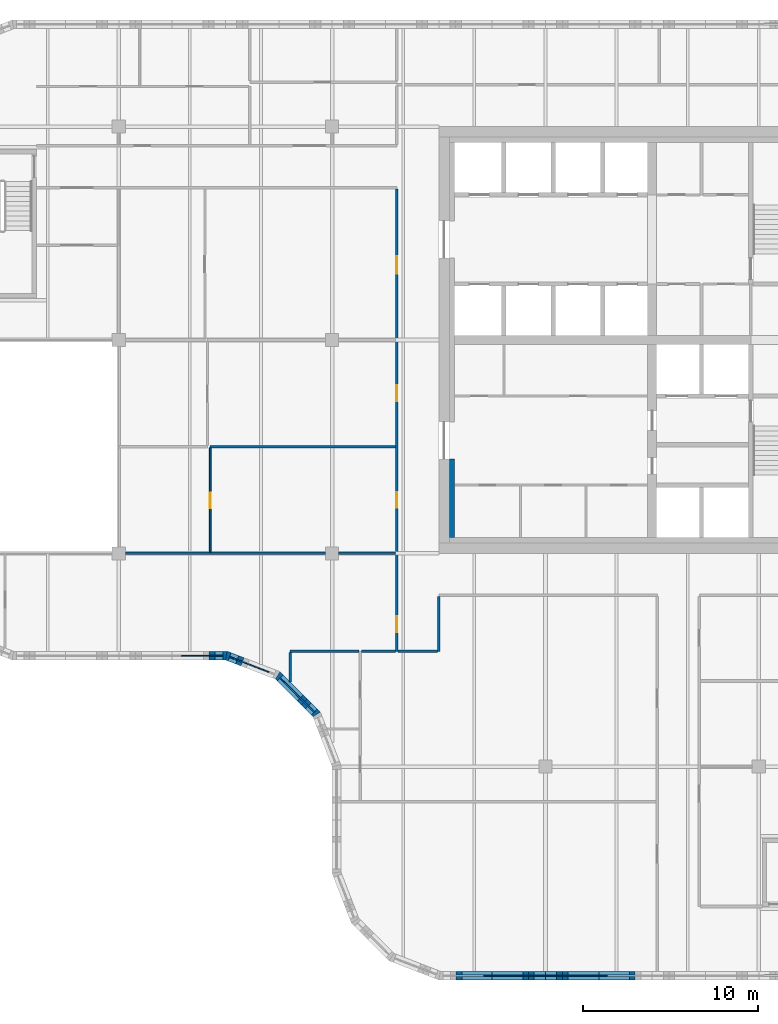
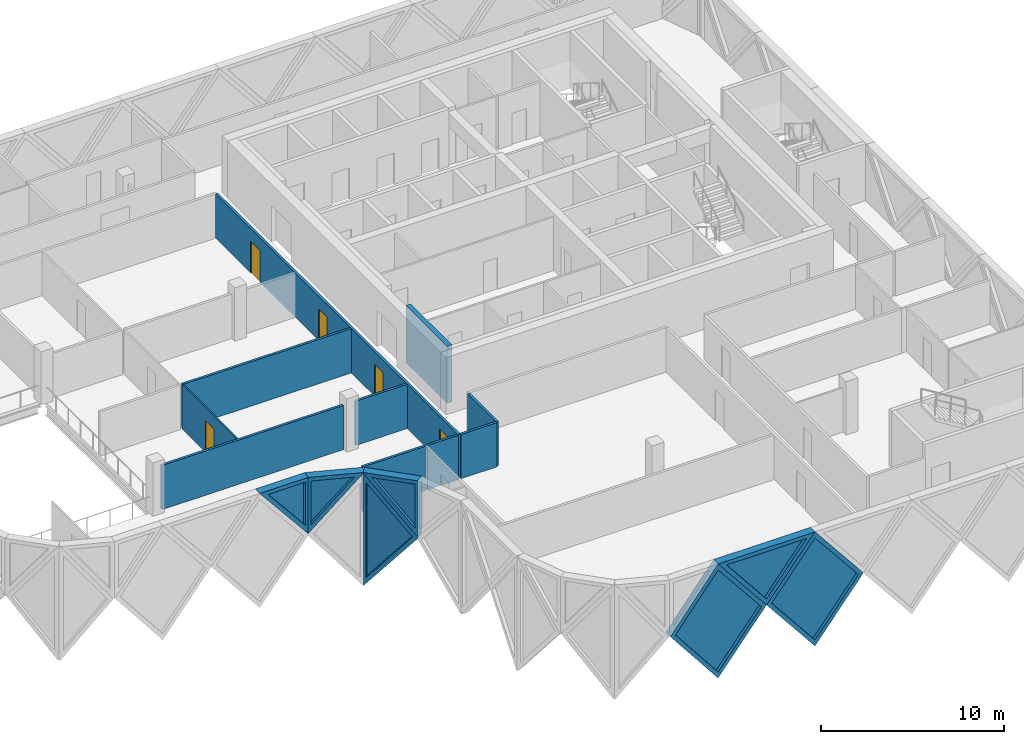
# One storey, part 5 of 15: 18 walls, 7 plates, 5 doors, 12 openings.
"""IFC4 building model written with IfcOpenShell, lengths in metres."""

from ifc_helpers import new_model, si_unit, direction, frame, frame_2d, origin, place, context, subcontext, project, spatial, polyline, rectangle, outline, extrude, faceted_brep, source, transform, mapped, material, layer, layer_set, type_object, element, fill, save


model = new_model("IFC4")

# Units and contexts
model_context = context("Model", 3, precision=1e-05, world=origin(), true_north=direction((0.0, 1.0)))
body_context = subcontext(model_context, "Body", "Model", "MODEL_VIEW")
ifc_project = project(units=[si_unit("LENGTHUNIT", "METRE"), si_unit("AREAUNIT", "SQUARE_METRE"), si_unit("VOLUMEUNIT", "CUBIC_METRE"), si_unit("PLANEANGLEUNIT", "RADIAN"), si_unit("MASSUNIT", "GRAM", prefix="KILO")], contexts=[model_context])

# Site, building, storey
site_placement = place(None, origin())
site = spatial("IfcSite", under=ifc_project, at=site_placement, CompositionType="ELEMENT")
building_placement = place(site_placement, origin())
building = spatial("IfcBuilding", under=site, at=building_placement, Name="Tessera Gate Towers", CompositionType="ELEMENT")
storey_placement = place(building_placement, frame((0.0, 0.0, 189.60009765625)))
storey = spatial("IfcBuildingStorey", under=building, at=storey_placement, Name="L47", CompositionType="ELEMENT", Elevation=189.60009765625)

# Wall
ifc_material_1 = material(Name="Concrete C50/60", Category="concrete")
ifc_layer_1 = layer(ifc_material_1, 0.300048828125)
ifc_layer_set_1 = layer_set([ifc_layer_1], Name="CORE WALL THICKENING 300")
wall_type_1 = type_object("IfcWallType", Name="CORE WALL THICKENING 300", PredefinedType="SOLIDWALL", material=ifc_layer_set_1)
wall_1_placement = place(storey_placement, frame((31.25, 25.300048828125, 0.0), z_axis=(0.0, 0.0, 1.0), x_axis=(0.0, 1.0, 0.0)))
element("IfcWall", 1, at=wall_1_placement, inside=storey, type_object=wall_type_1, Name="Core wall thickening W L47", PredefinedType="SOLIDWALL", context=body_context, shape_type="SweptSolid", body=[
    extrude(rectangle(XDim=4.5, YDim=0.300048828125, at=frame_2d((2.25, 0.0))), origin(), (0.0, 0.0, 1.0), 3.7998046875),
])

# Wall, openings, doors
ifc_material_2 = material(Name="Gypsum board on steel studs, mineral wool", Category="steel")
ifc_layer_2 = layer(ifc_material_2, 0.14990234375)
ifc_layer_set_2 = layer_set([ifc_layer_2], Name="CORRIDOR WALL 150")
wall_type_2 = type_object("IfcWallType", Name="CORRIDOR WALL 150", PredefinedType="PARTITIONING", material=ifc_layer_set_2)
wall_2_placement = place(storey_placement, frame((28.10009765625, 18.800048828125, 0.0), z_axis=(0.0, 0.0, 1.0), x_axis=(0.0, 1.0, 0.0)))
wall_2 = element("IfcWall", 2, at=wall_2_placement, inside=storey, type_object=wall_type_2, Name="T1-L47-PW-019", PredefinedType="PARTITIONING", context=body_context, shape_type="SweptSolid", body=[
    extrude(rectangle(XDim=26.424072265625, YDim=0.14990234375, at=frame_2d((13.2119140625, 0.0))), origin(), (0.0, 0.0, 1.0), 2.947021484375),
])
shared_shape_1 = source(origin(), body_context, "Body", "SweptSolid", [
    extrude(rectangle(XDim=0.89990234375, YDim=2.10009765625, at=frame_2d((0.449951171875, 1.050048828125))), frame((0.0, 0.0849609375, 0.0), z_axis=(0.0, -1.0, 0.0), x_axis=(1.0, 0.0, 0.0)), (0.0, 0.0, 1.0), 0.169921875),
])
opening_1_placement = place(wall_2_placement, frame((1.10009765625, 0.0, 0.0)))
opening_1 = element("IfcOpeningElement", 3, at=opening_1_placement, cuts=wall_2, Name="Opening D890FD60-A17-01", PredefinedType="OPENING", context=body_context, shape_type="MappedRepresentation", body=[
    mapped(shared_shape_1, transform((0.0, 0.0, 0.0), scale=1.0)),
])
opening_2_placement = place(wall_2_placement, frame((14.301025390625, 0.0, 0.0)))
opening_2 = element("IfcOpeningElement", 4, at=opening_2_placement, cuts=wall_2, Name="Opening D890FD60-A17-03", PredefinedType="OPENING", context=body_context, shape_type="MappedRepresentation", body=[
    mapped(shared_shape_1, transform((0.0, 0.0, 0.0), scale=1.0)),
])
opening_3_placement = place(wall_2_placement, frame((8.199951171875, 0.0, 0.0)))
opening_3 = element("IfcOpeningElement", 5, at=opening_3_placement, cuts=wall_2, Name="Opening D890FD60-A17-04", PredefinedType="OPENING", context=body_context, shape_type="MappedRepresentation", body=[
    mapped(shared_shape_1, transform((0.0, 0.0, 0.0), scale=1.0)),
])
shared_shape_2 = source(origin(), body_context, "Body", "SweptSolid", [
    extrude(rectangle(XDim=1.0, YDim=2.10009765625, at=frame_2d((0.5, 1.050048828125))), frame((0.0, 0.0849609375, 0.0), z_axis=(0.0, -1.0, 0.0), x_axis=(1.0, 0.0, 0.0)), (0.0, 0.0, 1.0), 0.169921875),
])
opening_4_placement = place(wall_2_placement, frame((21.60009765625, 0.0, 0.0)))
opening_4 = element("IfcOpeningElement", 6, at=opening_4_placement, cuts=wall_2, Name="Opening D2100FD60-A17-02", PredefinedType="OPENING", context=body_context, shape_type="MappedRepresentation", body=[
    mapped(shared_shape_2, transform((0.0, 0.0, 0.0), scale=1.0)),
])
ifc_material_3 = material(Name="Timber door leaf in steel frame", Category="steel")
door_type_1 = type_object("IfcDoorType", Name="CORRIDOR DOOR 900 FD60", OperationType="NOTDEFINED", PredefinedType="DOOR", material=ifc_material_3)
shared_shape_3 = source(origin(), body_context, "Body", "SweptSolid", [
    extrude(rectangle(XDim=0.89990234375, YDim=2.10009765625, at=frame_2d((0.449951171875, 1.050048828125))), frame((0.0, 0.02490234375, 0.0), z_axis=(0.0, -1.0, 0.0), x_axis=(1.0, 0.0, 0.0)), (0.0, 0.0, 1.0), 0.050048828125),
])
door_1_placement = place(opening_1_placement, origin())
door_1 = element("IfcDoor", 7, at=door_1_placement, inside=storey, type_object=door_type_1, Name="T1-L47-PD-001", OperationType="SINGLE_SWING_LEFT", OverallHeight=2.10009765625, OverallWidth=0.89990234375, PredefinedType="DOOR", context=body_context, shape_type="MappedRepresentation", body=[
    mapped(shared_shape_3, transform((0.0, 0.0, 0.0), scale=1.0)),
])
fill(opening_1, door_1)
door_2_placement = place(opening_2_placement, origin())
door_2 = element("IfcDoor", 8, at=door_2_placement, inside=storey, type_object=door_type_1, Name="T1-L47-PD-015", OperationType="SINGLE_SWING_LEFT", OverallHeight=2.10009765625, OverallWidth=0.89990234375, PredefinedType="DOOR", context=body_context, shape_type="MappedRepresentation", body=[
    mapped(shared_shape_3, transform((0.0, 0.0, 0.0), scale=1.0)),
])
fill(opening_2, door_2)
door_3_placement = place(opening_3_placement, origin())
door_3 = element("IfcDoor", 9, at=door_3_placement, inside=storey, type_object=door_type_1, Name="T1-L47-PD-016", OperationType="SINGLE_SWING_LEFT", OverallHeight=2.10009765625, OverallWidth=0.89990234375, PredefinedType="DOOR", context=body_context, shape_type="MappedRepresentation", body=[
    mapped(shared_shape_3, transform((0.0, 0.0, 0.0), scale=1.0)),
])
fill(opening_3, door_3)
ifc_material_4 = material(Name="Timber door leaf in steel frame", Category="steel")
door_type_2 = type_object("IfcDoorType", Name="TENANCY ENTRANCE DOOR 1000 FD60", OperationType="NOTDEFINED", PredefinedType="DOOR", material=ifc_material_4)
shared_shape_4 = source(origin(), body_context, "Body", "SweptSolid", [
    extrude(rectangle(XDim=1.0, YDim=2.10009765625, at=frame_2d((0.5, 1.050048828125))), frame((0.0, 0.02490234375, 0.0), z_axis=(0.0, -1.0, 0.0), x_axis=(1.0, 0.0, 0.0)), (0.0, 0.0, 1.0), 0.050048828125),
])
door_4_placement = place(opening_4_placement, origin())
door_4 = element("IfcDoor", 10, at=door_4_placement, inside=storey, type_object=door_type_2, Name="T1-L47-PD-022", OperationType="SINGLE_SWING_LEFT", OverallHeight=2.10009765625, OverallWidth=1.0, PredefinedType="DOOR", context=body_context, shape_type="MappedRepresentation", body=[
    mapped(shared_shape_4, transform((0.0, 0.0, 0.0), scale=1.0)),
])
fill(opening_4, door_4)

# Walls
wall_3_placement = place(storey_placement, frame((28.176025390625, 18.800048828125, 0.0), z_axis=(0.0, 0.0, 1.0), x_axis=(1.0, 0.0, 0.0)))
element("IfcWall", 11, at=wall_3_placement, inside=storey, type_object=wall_type_2, Name="T1-L47-PW-020", PredefinedType="PARTITIONING", context=body_context, shape_type="SweptSolid", body=[
    extrude(rectangle(XDim=2.248046875, YDim=0.14990234375, at=frame_2d((1.1240234375, 0.0))), origin(), (0.0, 0.0, 1.0), 2.947021484375),
])
wall_4_placement = place(storey_placement, frame((30.5, 18.800048828125, 0.0), z_axis=(0.0, 0.0, 1.0), x_axis=(0.0, 1.0, 0.0)))
element("IfcWall", 12, at=wall_4_placement, inside=storey, type_object=wall_type_2, Name="T1-L47-PW-021", PredefinedType="PARTITIONING", context=body_context, shape_type="SweptSolid", body=[
    extrude(rectangle(XDim=3.1240234375, YDim=0.14990234375, at=frame_2d((1.56201171875, 0.0))), origin(), (0.0, 0.0, 1.0), 2.947021484375),
])

# Wall, opening, door
ifc_material_5 = material(Name="Gypsum board on steel studs", Category="steel")
ifc_layer_3 = layer(ifc_material_5, 0.10009765625)
ifc_layer_set_3 = layer_set([ifc_layer_3], Name="PARTITION 100")
wall_type_3 = type_object("IfcWallType", Name="PARTITION 100", PredefinedType="PARTITIONING", material=ifc_layer_set_3)
wall_5_placement = place(storey_placement, frame((17.425048828125, 24.47607421875, 0.0), z_axis=(0.0, 0.0, 1.0), x_axis=(0.0, 1.0, 0.0)))
wall_5 = element("IfcWall", 13, at=wall_5_placement, inside=storey, type_object=wall_type_3, Name="T1-L47-PW-030", PredefinedType="PARTITIONING", context=body_context, shape_type="SweptSolid", body=[
    extrude(rectangle(XDim=5.947998046875, YDim=0.10009765625, at=frame_2d((2.97412109375, 0.0))), origin(), (0.0, 0.0, 1.0), 2.947021484375),
])
shared_shape_5 = source(origin(), body_context, "Body", "SweptSolid", [
    extrude(rectangle(XDim=0.89990234375, YDim=2.10009765625, at=frame_2d((0.449951171875, 1.050048828125))), frame((0.0, 0.06005859375, 0.0), z_axis=(0.0, -1.0, 0.0), x_axis=(1.0, 0.0, 0.0)), (0.0, 0.0, 1.0), 0.1201171875),
])
opening_5_placement = place(wall_5_placement, frame((2.5, 0.0, 0.0)))
opening_5 = element("IfcOpeningElement", 14, at=opening_5_placement, cuts=wall_5, Name="Opening D190-A17-04", PredefinedType="OPENING", context=body_context, shape_type="MappedRepresentation", body=[
    mapped(shared_shape_5, transform((0.0, 0.0, 0.0), scale=1.0)),
])
ifc_material_6 = material(Name="Timber door leaf in steel frame", Category="steel")
door_type_3 = type_object("IfcDoorType", Name="INTERNAL DOOR 900 NOT RATED", OperationType="NOTDEFINED", PredefinedType="DOOR", material=ifc_material_6)
door_5_placement = place(opening_5_placement, origin())
door_5 = element("IfcDoor", 15, at=door_5_placement, inside=storey, type_object=door_type_3, Name="T1-L47-PD-012", OperationType="SINGLE_SWING_LEFT", OverallHeight=2.10009765625, OverallWidth=0.89990234375, PredefinedType="DOOR", context=body_context, shape_type="MappedRepresentation", body=[
    mapped(shared_shape_3, transform((0.0, 0.0, 0.0), scale=1.0)),
])
fill(opening_5, door_5)

# Walls
ifc_material_7 = material(Name="Gypsum board on steel studs, mineral wool", Category="steel")
ifc_layer_4 = layer(ifc_material_7, 0.14990234375)
ifc_layer_set_4 = layer_set([ifc_layer_4], Name="TENANCY WALL 150")
wall_type_4 = type_object("IfcWallType", Name="TENANCY WALL 150", PredefinedType="PARTITIONING", material=ifc_layer_set_4)
wall_6_placement = place(storey_placement, frame((22.0, 17.054931640625, 0.0), z_axis=(0.0, 0.0, 1.0), x_axis=(0.0, 1.0, 0.0)))
element("IfcWall", 16, at=wall_6_placement, inside=storey, type_object=wall_type_4, Name="T1-L47-PW-012", PredefinedType="PARTITIONING", context=body_context, shape_type="SweptSolid", body=[
    extrude(rectangle(XDim=1.669189453125, YDim=0.14990234375, at=frame_2d((0.83447265625, 0.0))), origin(), (0.0, 0.0, 1.0), 2.947021484375),
])
wall_7_placement = place(storey_placement, frame((22.0, 18.800048828125, 0.0), z_axis=(0.0, 0.0, 1.0), x_axis=(1.0, 0.0, 0.0)))
element("IfcWall", 17, at=wall_7_placement, inside=storey, type_object=wall_type_4, Name="T1-L47-PW-017", PredefinedType="PARTITIONING", context=body_context, shape_type="SweptSolid", body=[
    extrude(rectangle(XDim=3.924072265625, YDim=0.14990234375, at=frame_2d((1.9619140625, 0.0))), origin(), (0.0, 0.0, 1.0), 2.947021484375),
])
wall_8_placement = place(storey_placement, frame((26.075927734375, 18.800048828125, 0.0), z_axis=(0.0, 0.0, 1.0), x_axis=(1.0, 0.0, 0.0)))
element("IfcWall", 18, at=wall_8_placement, inside=storey, type_object=wall_type_4, Name="T1-L47-PW-018", PredefinedType="PARTITIONING", context=body_context, shape_type="SweptSolid", body=[
    extrude(rectangle(XDim=1.947998046875, YDim=0.14990234375, at=frame_2d((0.97412109375, 0.0))), origin(), (0.0, 0.0, 1.0), 2.947021484375),
])
wall_9_placement = place(storey_placement, frame((12.575927734375, 24.39990234375, 0.0), z_axis=(0.0, 0.0, 1.0), x_axis=(1.0, 0.0, 0.0)))
element("IfcWall", 19, at=wall_9_placement, inside=storey, type_object=wall_type_4, Name="T1-L47-PW-028", PredefinedType="PARTITIONING", context=body_context, shape_type="SweptSolid", body=[
    extrude(rectangle(XDim=11.447998046875, YDim=0.14990234375, at=frame_2d((5.72412109375, 0.0))), origin(), (0.0, 0.0, 1.0), 2.947021484375),
])
wall_10_placement = place(storey_placement, frame((24.77587890625, 24.39990234375, 0.0), z_axis=(0.0, 0.0, 1.0), x_axis=(1.0, 0.0, 0.0)))
element("IfcWall", 20, at=wall_10_placement, inside=storey, type_object=wall_type_4, Name="T1-L47-PW-029", PredefinedType="PARTITIONING", context=body_context, shape_type="SweptSolid", body=[
    extrude(rectangle(XDim=3.248046875, YDim=0.14990234375, at=frame_2d((1.6240234375, 0.0))), origin(), (0.0, 0.0, 1.0), 2.947021484375),
])
wall_11_placement = place(storey_placement, frame((17.425048828125, 30.5, 0.0), z_axis=(0.0, 0.0, 1.0), x_axis=(1.0, 0.0, 0.0)))
element("IfcWall", 21, at=wall_11_placement, inside=storey, type_object=wall_type_4, Name="T1-L47-PW-032", PredefinedType="PARTITIONING", context=body_context, shape_type="SweptSolid", body=[
    extrude(rectangle(XDim=10.598876953125, YDim=0.14990234375, at=frame_2d((5.29931640625, 0.0))), origin(), (0.0, 0.0, 1.0), 2.947021484375),
])

# Wall, opening, plate
ifc_material_8 = material(Name="Precast concrete C60/75 white", Category="concrete")
ifc_layer_5 = layer(ifc_material_8, 0.5)
ifc_layer_set_5 = layer_set([ifc_layer_5], Name="TS1 tessera")
wall_type_5 = type_object("IfcWallType", Name="TS1 tessera", PredefinedType="SOLIDWALL", material=ifc_layer_set_5)
shared_shape_6 = source(origin(), body_context, "Body", "Brep", [
    faceted_brep([(3.00341796875, -0.25, 0.0), (6.053466796875, -0.25, 3.800048828125), (3.00341796875, -0.25, 7.599853515625), (0.0, -0.25, 3.800048828125), (0.046630859375, 0.25, 3.85888671875), (3.00341796875, 0.25, 7.599853515625), (6.053466796875, 0.25, 3.800048828125), (3.00341796875, 0.25, 0.0), (0.046630859375, 0.25, 3.7412109375), (0.0, 0.0, 3.800048828125)], [[[0, 1, 2, 3]], [[4, 5, 6, 7, 8]], [[7, 6, 1, 0]], [[6, 5, 2, 1]], [[5, 4, 9, 3, 2]], [[8, 7, 0, 3, 9]], [[8, 9, 4]]]),
])
wall_12_placement = place(storey_placement, frame((30.546630859375, 0.25, -3.800048828125), z_axis=(0.0, 0.0, 1.0), x_axis=(1.0, 0.0, 0.0)))
wall_12 = element("IfcWall", 22, at=wall_12_placement, inside=storey, type_object=wall_type_5, Name="Precast tessera T1 TS1-0828", PredefinedType="SOLIDWALL", context=body_context, shape_type="MappedRepresentation", body=[
    mapped(shared_shape_6, transform((0.0, 0.0, 0.0), scale=1.0)),
])
shared_shape_7 = source(origin(), body_context, "Body", "SweptSolid", [
    extrude(outline(polyline([(3.0048828125, 0.401123046875), (5.73291015625, 3.800048828125), (3.0048828125, 7.19873046875), (0.318603515625, 3.800048828125), (3.0048828125, 0.401123046875)])), frame((0.0, 0.260009765625, 0.0), z_axis=(0.0, -1.0, 0.0), x_axis=(1.0, 0.0, 0.0)), (0.0, 0.0, 1.0), 0.52001953125),
])
opening_6_placement = place(wall_12_placement, origin())
opening_6 = element("IfcOpeningElement", 23, at=opening_6_placement, cuts=wall_12, Name="Opening T1-PL2-1692", PredefinedType="OPENING", context=body_context, shape_type="MappedRepresentation", body=[
    mapped(shared_shape_7, transform((0.0, 0.0, 0.0), scale=1.0)),
])
ifc_material_9 = material(Name="Low-e laminated glass", Category="glass")
ifc_layer_6 = layer(ifc_material_9, 0.06005859375)
ifc_layer_set_6 = layer_set([ifc_layer_6], Name="PL2 rhombic pane")
plate_type_1 = type_object("IfcPlateType", Name="PL2 rhombic pane", PredefinedType="SHEET", material=ifc_layer_set_6)
shared_shape_8 = source(origin(), body_context, "Body", "SweptSolid", [
    extrude(outline(polyline([(3.0048828125, 0.401123046875), (5.73291015625, 3.800048828125), (3.0048828125, 7.19873046875), (0.318603515625, 3.800048828125), (3.0048828125, 0.401123046875)])), frame((0.0, 0.030029296875, 0.0), z_axis=(0.0, -1.0, 0.0), x_axis=(1.0, 0.0, 0.0)), (0.0, 0.0, 1.0), 0.06005859375),
])
plate_1_placement = place(opening_6_placement, origin())
plate_1 = element("IfcPlate", 24, at=plate_1_placement, inside=storey, type_object=plate_type_1, Name="Glass pane T1 PL2-1692", PredefinedType="SHEET", context=body_context, shape_type="MappedRepresentation", body=[
    mapped(shared_shape_8, transform((0.0, 0.0, 0.0), scale=1.0)),
])
fill(opening_6, plate_1)

shared_shape_9 = source(origin(), body_context, "Body", "Brep", [
    faceted_brep([(3.050048828125, -0.25, 0.0), (6.099853515625, -0.25, 3.7998046875), (6.099853515625, -0.25, 3.80029296875), (3.050048828125, -0.25, 7.599853515625), (0.0, -0.25, 3.800048828125), (0.0, 0.25, 3.800048828125), (3.050048828125, 0.25, 7.599853515625), (6.099853515625, 0.25, 3.80029296875), (6.099853515625, 0.25, 3.7998046875), (3.050048828125, 0.25, 0.0)], [[[0, 1, 2, 3, 4]], [[5, 6, 7, 8, 9]], [[9, 8, 1, 0]], [[7, 6, 3, 2]], [[6, 5, 4, 3]], [[5, 9, 0, 4]], [[1, 8, 7, 2]]]),
])
wall_13_placement = place(storey_placement, frame((36.60009765625, 0.25, -3.800048828125), z_axis=(0.0, 0.0, 1.0), x_axis=(1.0, 0.0, 0.0)))
wall_13 = element("IfcWall", 25, at=wall_13_placement, inside=storey, type_object=wall_type_5, Name="Precast tessera T1 TS1-0829", PredefinedType="SOLIDWALL", context=body_context, shape_type="MappedRepresentation", body=[
    mapped(shared_shape_9, transform((0.0, 0.0, 0.0), scale=1.0)),
])
shared_shape_10 = source(origin(), body_context, "Body", "SweptSolid", [
    extrude(outline(polyline([(3.050048828125, 0.3994140625), (5.779541015625, 3.800048828125), (3.050048828125, 7.200439453125), (0.320556640625, 3.800048828125), (3.050048828125, 0.3994140625)])), frame((0.0, 0.260009765625, 0.0), z_axis=(0.0, -1.0, 0.0), x_axis=(1.0, 0.0, 0.0)), (0.0, 0.0, 1.0), 0.52001953125),
])
opening_7_placement = place(wall_13_placement, origin())
opening_7 = element("IfcOpeningElement", 26, at=opening_7_placement, cuts=wall_13, Name="Opening T1-PL2-1693", PredefinedType="OPENING", context=body_context, shape_type="MappedRepresentation", body=[
    mapped(shared_shape_10, transform((0.0, 0.0, 0.0), scale=1.0)),
])
shared_shape_11 = source(origin(), body_context, "Body", "SweptSolid", [
    extrude(outline(polyline([(3.050048828125, 0.3994140625), (5.779541015625, 3.800048828125), (3.050048828125, 7.200439453125), (0.320556640625, 3.800048828125), (3.050048828125, 0.3994140625)])), frame((0.0, 0.030029296875, 0.0), z_axis=(0.0, -1.0, 0.0), x_axis=(1.0, 0.0, 0.0)), (0.0, 0.0, 1.0), 0.06005859375),
])
plate_2_placement = place(opening_7_placement, origin())
plate_2 = element("IfcPlate", 27, at=plate_2_placement, inside=storey, type_object=plate_type_1, Name="Glass pane T1 PL2-1693", PredefinedType="SHEET", context=body_context, shape_type="MappedRepresentation", body=[
    mapped(shared_shape_11, transform((0.0, 0.0, 0.0), scale=1.0)),
])
fill(opening_7, plate_2)

ifc_material_10 = material(Name="Precast concrete C60/75 white", Category="concrete")
ifc_layer_7 = layer(ifc_material_10, 0.5)
ifc_layer_set_7 = layer_set([ifc_layer_7], Name="TS3 corner tessera")
wall_type_6 = type_object("IfcWallType", Name="TS3 corner tessera", PredefinedType="SOLIDWALL", material=ifc_layer_set_7)
shared_shape_12 = source(origin(), body_context, "Body", "Brep", [
    faceted_brep([(0.10595703125, -0.25, 0.063720703125), (3.156005859375, -0.25, 3.736328125), (3.156005859375, -0.25, 3.86376953125), (0.10595703125, -0.25, 7.5361328125), (0.0, 0.25, 7.535888671875), (0.052978515625, 0.25, 7.599853515625), (3.208740234375, 0.25, 3.800048828125), (0.052978515625, 0.25, 0.0), (0.0, 0.25, 0.06396484375), (3.208740234375, -0.00048828125, 3.800048828125), (0.052978515625, 0.0, 0.0), (0.052978515625, 0.0, 7.599853515625)], [[[0, 1, 2, 3]], [[4, 5, 6, 7, 8]], [[7, 6, 9, 1, 0, 10]], [[6, 5, 11, 3, 2, 9]], [[5, 4, 11]], [[8, 7, 10]], [[8, 10, 0, 3, 11, 4]], [[1, 9, 2]]]),
])
wall_14_placement = place(storey_placement, frame((21.24755859375, 17.453857421875, -3.800048828125), z_axis=(0.0, 0.0, 1.0), x_axis=(0.707106781187, -0.707106781187, 0.0)))
wall_14 = element("IfcWall", 28, at=wall_14_placement, inside=storey, type_object=wall_type_6, Name="Precast corner tessera T1 TS3-1098", PredefinedType="SOLIDWALL", context=body_context, shape_type="MappedRepresentation", body=[
    mapped(shared_shape_12, transform((0.0, 0.0, 0.0), scale=1.0)),
])
shared_shape_13 = source(origin(), body_context, "Body", "SweptSolid", [
    extrude(outline(polyline([(0.2529296875, 0.632080078125), (2.8837890625, 3.800048828125), (0.2529296875, 6.9677734375), (0.2529296875, 0.632080078125)])), frame((0.0, 0.260009765625, 0.0), z_axis=(0.0, -1.0, 0.0), x_axis=(1.0, 0.0, 0.0)), (0.0, 0.0, 1.0), 0.52001953125),
])
opening_8_placement = place(wall_14_placement, origin())
opening_8 = element("IfcOpeningElement", 29, at=opening_8_placement, cuts=wall_14, Name="Opening T1-PL2-1732", PredefinedType="OPENING", context=body_context, shape_type="MappedRepresentation", body=[
    mapped(shared_shape_13, transform((0.0, 0.0, 0.0), scale=1.0)),
])
shared_shape_14 = source(origin(), body_context, "Body", "SweptSolid", [
    extrude(outline(polyline([(0.2529296875, 0.632080078125), (2.8837890625, 3.800048828125), (0.2529296875, 6.9677734375), (0.2529296875, 0.632080078125)])), frame((0.0, 0.030029296875, 0.0), z_axis=(0.0, -1.0, 0.0), x_axis=(1.0, 0.0, 0.0)), (0.0, 0.0, 1.0), 0.06005859375),
])
plate_3_placement = place(opening_8_placement, origin())
plate_3 = element("IfcPlate", 30, at=plate_3_placement, inside=storey, type_object=plate_type_1, Name="Glass pane T1 PL2-1732", PredefinedType="SHEET", context=body_context, shape_type="MappedRepresentation", body=[
    mapped(shared_shape_14, transform((0.0, 0.0, 0.0), scale=1.0)),
])
fill(opening_8, plate_3)

ifc_material_11 = material(Name="Precast concrete C60/75 white", Category="concrete")
ifc_layer_8 = layer(ifc_material_11, 0.5)
ifc_layer_set_8 = layer_set([ifc_layer_8], Name="TS2 half tessera")
wall_type_7 = type_object("IfcWallType", Name="TS2 half tessera", PredefinedType="SOLIDWALL", material=ifc_layer_set_8)
shared_shape_15 = source(origin(), body_context, "Body", "Brep", [
    faceted_brep([(3.050048828125, -0.25, 0.0), (6.099853515625, -0.25, 3.799560546875), (6.099853515625, -0.25, 3.7998046875), (0.0, -0.25, 3.7998046875), (0.0, 0.25, 3.7998046875), (6.099853515625, 0.25, 3.7998046875), (6.099853515625, 0.25, 3.799560546875), (3.050048828125, 0.25, 0.0)], [[[0, 1, 2, 3]], [[4, 5, 6, 7]], [[7, 6, 1, 0]], [[5, 4, 3, 2]], [[4, 7, 0, 3]], [[1, 6, 5, 2]]]),
])
wall_15_placement = place(storey_placement, frame((33.550048828125, 0.25, 0.0), z_axis=(0.0, 0.0, 1.0), x_axis=(1.0, 0.0, 0.0)))
wall_15 = element("IfcWall", 31, at=wall_15_placement, inside=storey, type_object=wall_type_7, Name="Precast half tessera T1 TS2-0207", PredefinedType="SOLIDWALL", context=body_context, shape_type="MappedRepresentation", body=[
    mapped(shared_shape_15, transform((0.0, 0.0, 0.0), scale=1.0)),
])
shared_shape_16 = source(origin(), body_context, "Body", "SweptSolid", [
    extrude(outline(polyline([(3.050048828125, 0.3994140625), (5.578857421875, 3.5498046875), (0.521240234375, 3.5498046875), (3.050048828125, 0.3994140625)])), frame((0.0, 0.260009765625, 0.0), z_axis=(0.0, -1.0, 0.0), x_axis=(1.0, 0.0, 0.0)), (0.0, 0.0, 1.0), 0.52001953125),
])
opening_9_placement = place(wall_15_placement, origin())
opening_9 = element("IfcOpeningElement", 32, at=opening_9_placement, cuts=wall_15, Name="Opening T1-PL1-0425", PredefinedType="OPENING", context=body_context, shape_type="MappedRepresentation", body=[
    mapped(shared_shape_16, transform((0.0, 0.0, 0.0), scale=1.0)),
])
ifc_material_12 = material(Name="Low-e laminated glass", Category="glass")
ifc_layer_9 = layer(ifc_material_12, 0.06005859375)
ifc_layer_set_9 = layer_set([ifc_layer_9], Name="PL1 triangular pane")
plate_type_2 = type_object("IfcPlateType", Name="PL1 triangular pane", PredefinedType="SHEET", material=ifc_layer_set_9)
shared_shape_17 = source(origin(), body_context, "Body", "SweptSolid", [
    extrude(outline(polyline([(3.050048828125, 0.3994140625), (5.578857421875, 3.5498046875), (0.521240234375, 3.5498046875), (3.050048828125, 0.3994140625)])), frame((0.0, 0.030029296875, 0.0), z_axis=(0.0, -1.0, 0.0), x_axis=(1.0, 0.0, 0.0)), (0.0, 0.0, 1.0), 0.06005859375),
])
plate_4_placement = place(opening_9_placement, origin())
plate_4 = element("IfcPlate", 33, at=plate_4_placement, inside=storey, type_object=plate_type_2, Name="Glass pane T1 PL1-0425", PredefinedType="SHEET", context=body_context, shape_type="MappedRepresentation", body=[
    mapped(shared_shape_17, transform((0.0, 0.0, 0.0), scale=1.0)),
])
fill(opening_9, plate_4)

shared_shape_18 = source(origin(), body_context, "Body", "Brep", [
    faceted_brep([(3.050048828125, -0.25, 3.7998046875), (0.0, -0.25, 3.7998046875), (3.050048828125, -0.25, 0.056884765625), (0.0, 0.25, 3.7998046875), (3.14306640625, 0.25, 3.7998046875), (3.14306640625, 0.25, 0.056396484375), (3.096435546875, 0.25, 0.0), (3.096435546875, -0.00048828125, 0.0)], [[[0, 1, 2]], [[3, 4, 5, 6]], [[6, 5, 7]], [[4, 3, 1, 0]], [[3, 6, 7, 2, 1]], [[2, 7, 5, 4, 0]]]),
])
wall_16_placement = place(storey_placement, frame((15.25, 18.550048828125, 0.0), z_axis=(0.0, 0.0, 1.0), x_axis=(1.0, 0.0, 0.0)))
wall_16 = element("IfcWall", 34, at=wall_16_placement, inside=storey, type_object=wall_type_6, Name="Precast corner tessera T1 TS3-1123", PredefinedType="SOLIDWALL", context=body_context, shape_type="MappedRepresentation", body=[
    mapped(shared_shape_18, transform((0.0, 0.0, 0.0), scale=1.0)),
])
shared_shape_19 = source(origin(), body_context, "Body", "SweptSolid", [
    extrude(outline(polyline([(2.896484375, 3.5498046875), (0.526123046875, 3.5498046875), (2.896484375, 0.64111328125), (2.896484375, 3.5498046875)])), frame((0.0, 0.260009765625, 0.0), z_axis=(0.0, -1.0, 0.0), x_axis=(1.0, 0.0, 0.0)), (0.0, 0.0, 1.0), 0.52001953125),
])
opening_10_placement = place(wall_16_placement, origin())
opening_10 = element("IfcOpeningElement", 35, at=opening_10_placement, cuts=wall_16, Name="Opening T1-PL1-0463", PredefinedType="OPENING", context=body_context, shape_type="MappedRepresentation", body=[
    mapped(shared_shape_19, transform((0.0, 0.0, 0.0), scale=1.0)),
])
shared_shape_20 = source(origin(), body_context, "Body", "SweptSolid", [
    extrude(outline(polyline([(2.896484375, 3.5498046875), (0.526123046875, 3.5498046875), (2.896484375, 0.64111328125), (2.896484375, 3.5498046875)])), frame((0.0, 0.030029296875, 0.0), z_axis=(0.0, -1.0, 0.0), x_axis=(1.0, 0.0, 0.0)), (0.0, 0.0, 1.0), 0.06005859375),
])
plate_5_placement = place(opening_10_placement, origin())
plate_5 = element("IfcPlate", 36, at=plate_5_placement, inside=storey, type_object=plate_type_2, Name="Glass pane T1 PL1-0463", PredefinedType="SHEET", context=body_context, shape_type="MappedRepresentation", body=[
    mapped(shared_shape_20, transform((0.0, 0.0, 0.0), scale=1.0)),
])
fill(opening_10, plate_5)

shared_shape_21 = source(origin(), body_context, "Body", "Brep", [
    faceted_brep([(0.09326171875, -0.25, 0.05615234375), (3.14306640625, -0.25, 3.736083984375), (3.14306640625, -0.25, 3.7998046875), (0.09326171875, -0.25, 3.7998046875), (0.0, 0.25, 3.7998046875), (3.196044921875, 0.25, 3.7998046875), (0.046630859375, 0.25, 0.0), (0.0, 0.25, 0.05712890625), (3.196044921875, -0.000244140625, 3.7998046875), (0.046630859375, 0.0, 0.0)], [[[0, 1, 2, 3]], [[4, 5, 6, 7]], [[6, 5, 8, 1, 0, 9]], [[5, 4, 3, 2, 8]], [[7, 6, 9]], [[7, 9, 0, 3, 4]], [[1, 8, 2]]]),
])
wall_17_placement = place(storey_placement, frame((18.302978515625, 18.56689453125, 0.0), z_axis=(0.0, 0.0, 1.0), x_axis=(0.932978940178, -0.359930961693, 0.0)))
wall_17 = element("IfcWall", 37, at=wall_17_placement, inside=storey, type_object=wall_type_6, Name="Precast corner tessera T1 TS3-1124", PredefinedType="SOLIDWALL", context=body_context, shape_type="MappedRepresentation", body=[
    mapped(shared_shape_21, transform((0.0, 0.0, 0.0), scale=1.0)),
])
shared_shape_22 = source(origin(), body_context, "Body", "SweptSolid", [
    extrude(outline(polyline([(0.24658203125, 0.633056640625), (2.664306640625, 3.5498046875), (0.24658203125, 3.5498046875), (0.24658203125, 0.633056640625)])), frame((0.0, 0.260009765625, 0.0), z_axis=(0.0, -1.0, 0.0), x_axis=(1.0, 0.0, 0.0)), (0.0, 0.0, 1.0), 0.52001953125),
])
opening_11_placement = place(wall_17_placement, origin())
opening_11 = element("IfcOpeningElement", 38, at=opening_11_placement, cuts=wall_17, Name="Opening T1-PL1-0464", PredefinedType="OPENING", context=body_context, shape_type="MappedRepresentation", body=[
    mapped(shared_shape_22, transform((0.0, 0.0, 0.0), scale=1.0)),
])
shared_shape_23 = source(origin(), body_context, "Body", "SweptSolid", [
    extrude(outline(polyline([(0.24658203125, 0.633056640625), (2.664306640625, 3.5498046875), (0.24658203125, 3.5498046875), (0.24658203125, 0.633056640625)])), frame((0.0, 0.030029296875, 0.0), z_axis=(0.0, -1.0, 0.0), x_axis=(1.0, 0.0, 0.0)), (0.0, 0.0, 1.0), 0.06005859375),
])
plate_6_placement = place(opening_11_placement, origin())
plate_6 = element("IfcPlate", 39, at=plate_6_placement, inside=storey, type_object=plate_type_2, Name="Glass pane T1 PL1-0464", PredefinedType="SHEET", context=body_context, shape_type="MappedRepresentation", body=[
    mapped(shared_shape_23, transform((0.0, 0.0, 0.0), scale=1.0)),
])
fill(opening_11, plate_6)

shared_shape_24 = source(origin(), body_context, "Body", "Brep", [
    faceted_brep([(3.10302734375, -0.25, 3.7998046875), (0.052978515625, -0.25, 3.7998046875), (0.052978515625, -0.25, 3.736083984375), (3.10302734375, -0.25, 0.063720703125), (0.0, 0.25, 3.7998046875), (3.208740234375, 0.25, 3.7998046875), (3.208740234375, 0.25, 0.06396484375), (3.15576171875, 0.25, 0.0), (3.15576171875, -0.00048828125, 0.0), (0.0, 0.0, 3.7998046875)], [[[0, 1, 2, 3]], [[4, 5, 6, 7]], [[7, 6, 8]], [[5, 4, 9, 1, 0]], [[4, 7, 8, 3, 2, 9]], [[2, 1, 9]], [[3, 8, 6, 5, 0]]]),
])
wall_18_placement = place(storey_placement, frame((21.284912109375, 17.41650390625, 0.0), z_axis=(0.0, 0.0, 1.0), x_axis=(0.707106781187, -0.707106781187, 0.0)))
wall_18 = element("IfcWall", 40, at=wall_18_placement, inside=storey, type_object=wall_type_6, Name="Precast corner tessera T1 TS3-1125", PredefinedType="SOLIDWALL", context=body_context, shape_type="MappedRepresentation", body=[
    mapped(shared_shape_24, transform((0.0, 0.0, 0.0), scale=1.0)),
])
shared_shape_25 = source(origin(), body_context, "Body", "SweptSolid", [
    extrude(outline(polyline([(2.955810546875, 3.5498046875), (0.53271484375, 3.5498046875), (2.955810546875, 0.632080078125), (2.955810546875, 3.5498046875)])), frame((0.0, 0.260009765625, 0.0), z_axis=(0.0, -1.0, 0.0), x_axis=(1.0, 0.0, 0.0)), (0.0, 0.0, 1.0), 0.52001953125),
])
opening_12_placement = place(wall_18_placement, origin())
opening_12 = element("IfcOpeningElement", 41, at=opening_12_placement, cuts=wall_18, Name="Opening T1-PL1-0465", PredefinedType="OPENING", context=body_context, shape_type="MappedRepresentation", body=[
    mapped(shared_shape_25, transform((0.0, 0.0, 0.0), scale=1.0)),
])
shared_shape_26 = source(origin(), body_context, "Body", "SweptSolid", [
    extrude(outline(polyline([(2.955810546875, 3.5498046875), (0.53271484375, 3.5498046875), (2.955810546875, 0.632080078125), (2.955810546875, 3.5498046875)])), frame((0.0, 0.030029296875, 0.0), z_axis=(0.0, -1.0, 0.0), x_axis=(1.0, 0.0, 0.0)), (0.0, 0.0, 1.0), 0.06005859375),
])
plate_7_placement = place(opening_12_placement, origin())
plate_7 = element("IfcPlate", 42, at=plate_7_placement, inside=storey, type_object=plate_type_2, Name="Glass pane T1 PL1-0465", PredefinedType="SHEET", context=body_context, shape_type="MappedRepresentation", body=[
    mapped(shared_shape_26, transform((0.0, 0.0, 0.0), scale=1.0)),
])
fill(opening_12, plate_7)

save(model, "model.ifc")
